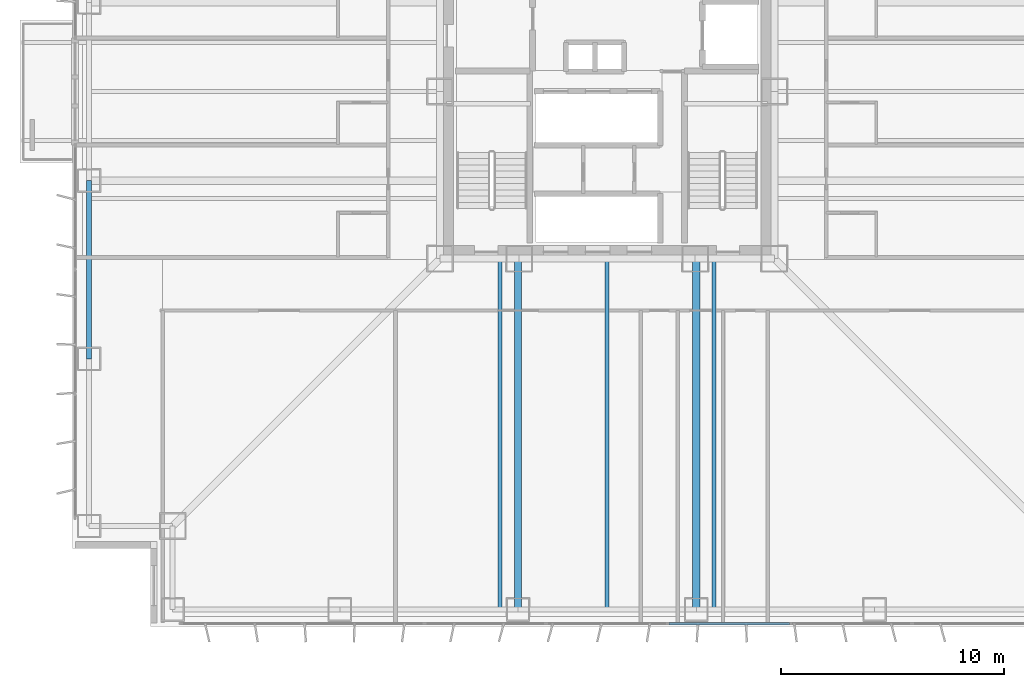
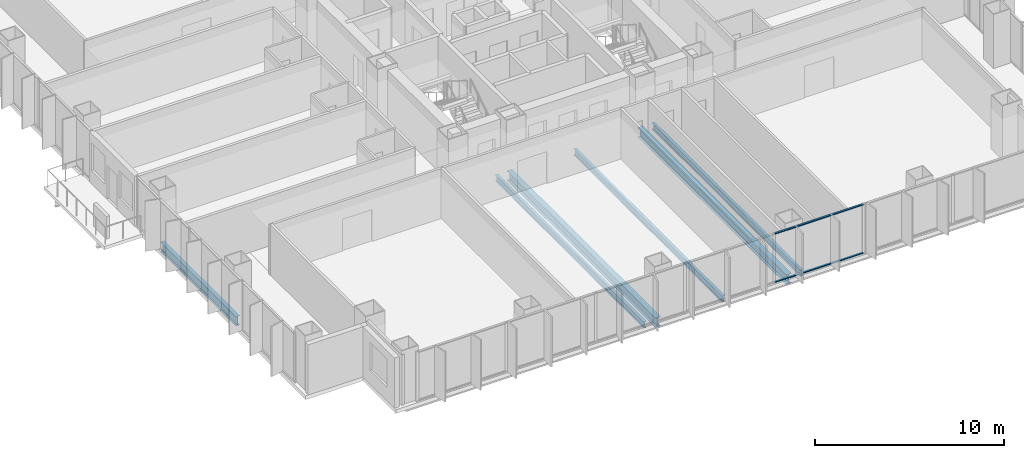
# One storey, part 3 of 16: 6 beams, 2 members, 1 element without a shape of its own.
"""IFC4 building model written with IfcOpenShell, lengths in metres."""

from ifc_helpers import new_model, si_unit, direction, frame, origin, origin_2d, place, context, subcontext, project, spatial, rectangle, i_section, extrude, material, layer, layer_set, material_profile, profile_set, type_object, element, aggregate, save


model = new_model("IFC4")

# Units and contexts
model_context = context("Model", 3, precision=1e-05, world=origin(), true_north=direction((0.0, 1.0)))
body_context = subcontext(model_context, "Body", "Model", "MODEL_VIEW")
ifc_project = project(units=[si_unit("LENGTHUNIT", "METRE"), si_unit("AREAUNIT", "SQUARE_METRE"), si_unit("VOLUMEUNIT", "CUBIC_METRE"), si_unit("PLANEANGLEUNIT", "RADIAN"), si_unit("MASSUNIT", "GRAM", prefix="KILO")], contexts=[model_context])

# Site, building, storey
site_placement = place(None, origin())
site = spatial("IfcSite", under=ifc_project, at=site_placement, CompositionType="ELEMENT")
building_placement = place(site_placement, origin())
building = spatial("IfcBuilding", under=site, at=building_placement, Name="Trevonay Congress Spire", CompositionType="ELEMENT")
storey_placement = place(building_placement, frame((0.0, 0.0, 48.0)))
storey = spatial("IfcBuildingStorey", under=building, at=storey_placement, Name="L11", CompositionType="ELEMENT", Elevation=48.0)

# Beams
ifc_material_1 = material(Name="Steel ASTM A572 Grade 50", Category="steel")
ifc_material_profile_1 = material_profile(ifc_material_1, i_section(OverallWidth=0.324951171875, OverallDepth=0.615966796875, WebThickness=0.013916015625, FlangeThickness=0.021484375, FilletRadius=0.01806640625, at=origin_2d()), Name="W610x174")
ifc_profile_set_1 = profile_set([ifc_material_profile_1], Name="Steel ASTM A572 Grade 50")
beam_type_1 = type_object("IfcBeamType", Name="BM-GIRD-W610X174", PredefinedType="BEAM", material=ifc_profile_set_1)
for number, where, z_axis, x_axis, name in (
    (1, (-4.0, -7.5, -0.55810546875), (0.0, -1.0, 0.0), (1.0, 0.0, 0.0), "L11 structural beam BM-L11-GS-M"),
    (2, (4.0, -7.5, -0.55810546875), (0.0, -1.0, 0.0), (1.0, 0.0, 0.0), "L11 structural beam BM-L11-GS-P"),
):
    element("IfcBeam", number, at=place(storey_placement, frame(where, z_axis=z_axis, x_axis=x_axis)), inside=storey, type_object=beam_type_1, Name=name, PredefinedType="BEAM", context=body_context, shape_type="SweptSolid", body=[
        extrude(i_section(OverallWidth=0.324951171875, OverallDepth=0.615966796875, WebThickness=0.013916015625, FlangeThickness=0.021484375, FilletRadius=0.01806640625, at=origin_2d()), origin(), (0.0, 0.0, 1.0), 15.75),
    ])
ifc_material_profile_2 = material_profile(ifc_material_1, i_section(OverallWidth=0.22998046875, OverallDepth=0.616943359375, WebThickness=0.01318359375, FlangeThickness=0.022216796875, FilletRadius=0.01611328125, at=origin_2d()), Name="W610x140")
ifc_profile_set_2 = profile_set([ifc_material_profile_2], Name="Steel ASTM A572 Grade 50")
beam_type_2 = type_object("IfcBeamType", Name="BM-RING-W610X140", PredefinedType="BEAM", material=ifc_profile_set_2)
beam_placement = place(storey_placement, frame((-23.25, -12.0, -0.55859375), z_axis=(0.0, 1.0, 0.0), x_axis=(-1.0, 0.0, 0.0)))
element("IfcBeam", 3, at=beam_placement, inside=storey, type_object=beam_type_2, Name="L11 structural beam BM-L11-PW2", PredefinedType="BEAM", context=body_context, shape_type="SweptSolid", body=[
    extrude(i_section(OverallWidth=0.22998046875, OverallDepth=0.616943359375, WebThickness=0.01318359375, FlangeThickness=0.022216796875, FilletRadius=0.01611328125, at=origin_2d()), origin(), (0.0, 0.0, 1.0), 8.0),
])

# Curtain wall, members
ifc_material_2 = material(Name="Pale Anodised Aluminium EN AW-6063-T6", Category="aluminium")
ifc_layer = layer(ifc_material_2, 0.179931640625, Name="Pale Anodised Aluminium EN AW-6063-T6")
ifc_layer_set = layer_set([ifc_layer], Name="Pale Anodised Aluminium EN AW-6063-T6")
curtain_wall_type = type_object("IfcCurtainWallType", Name="CW-SYS02-HOTEL-PALE-METAL", PredefinedType="NOTDEFINED", material=ifc_layer_set)
curtain_wall_placement = place(storey_placement, origin())
curtain_wall = element("IfcCurtainWall", 4, at=curtain_wall_placement, inside=storey, type_object=curtain_wall_type, Name="L11 S unitised curtain wall", PredefinedType="NOTDEFINED")
ifc_material_profile_3 = material_profile(ifc_material_2, rectangle(XDim=0.1201171875, YDim=0.06005859375, at=origin_2d()), Name="CW-TRANSOM-120-ALUMINIUM")
ifc_profile_set_3 = profile_set([ifc_material_profile_3], Name="Pale Anodised Aluminium EN AW-6063-T6")
member_type = type_object("IfcMemberType", Name="CW-TRANSOM-120-ALUMINIUM", PredefinedType="USERDEFINED", material=ifc_profile_set_3)
member_1_placement = place(storey_placement, frame((2.765625, -23.8798828125, 0.06005859375), z_axis=(1.0, 0.0, 0.0), x_axis=(0.0, 1.0, 0.0)))
member_1 = element("IfcMember", 5, at=member_1_placement, type_object=member_type, Name="CW02 transom 5.1", ObjectType="TRANSOM", PredefinedType="USERDEFINED", context=body_context, shape_type="SweptSolid", body=[
    extrude(rectangle(XDim=0.1201171875, YDim=0.06005859375, at=origin_2d()), origin(), (0.0, 0.0, 1.0), 5.41162109375),
])
member_2_placement = place(storey_placement, frame((2.765625, -23.8798828125, 3.18994140625), z_axis=(1.0, 0.0, 0.0), x_axis=(0.0, 1.0, 0.0)))
member_2 = element("IfcMember", 6, at=member_2_placement, type_object=member_type, Name="CW02 transom 5.2", ObjectType="TRANSOM", PredefinedType="USERDEFINED", context=body_context, shape_type="SweptSolid", body=[
    extrude(rectangle(XDim=0.1201171875, YDim=0.06005859375, at=origin_2d()), origin(), (0.0, 0.0, 1.0), 5.41162109375),
])
aggregate(curtain_wall, [member_1, member_2])

# Beams
ifc_material_profile_4 = material_profile(ifc_material_1, i_section(OverallWidth=0.177978515625, OverallDepth=0.406982421875, WebThickness=0.0078125, FlangeThickness=0.0126953125, FilletRadius=0.012939453125, at=origin_2d()), Name="W410x60")
ifc_profile_set_4 = profile_set([ifc_material_profile_4], Name="Steel ASTM A572 Grade 50")
beam_type_3 = type_object("IfcBeamType", Name="JS-COMP-W410X60", PredefinedType="JOIST", material=ifc_profile_set_4)
for number, where, z_axis, x_axis, name in (
    (7, (-4.800048828125, -23.25, -0.45361328125), (0.0, 1.0, 0.0), (-1.0, 0.0, 0.0), "L11 structural beam JS-L11-NS-S1"),
    (8, (0.0, -23.25, -0.45361328125), (0.0, 1.0, 0.0), (-1.0, 0.0, 0.0), "L11 structural beam JS-L11-NS-S2"),
    (9, (4.800048828125, -23.25, -0.45361328125), (0.0, 1.0, 0.0), (-1.0, 0.0, 0.0), "L11 structural beam JS-L11-NS-S3"),
):
    element("IfcBeam", number, at=place(storey_placement, frame(where, z_axis=z_axis, x_axis=x_axis)), inside=storey, type_object=beam_type_3, Name=name, PredefinedType="JOIST", context=body_context, shape_type="SweptSolid", body=[
        extrude(i_section(OverallWidth=0.177978515625, OverallDepth=0.406982421875, WebThickness=0.0078125, FlangeThickness=0.0126953125, FilletRadius=0.012939453125, at=origin_2d()), origin(), (0.0, 0.0, 1.0), 15.75),
    ])

save(model, "model.ifc")
